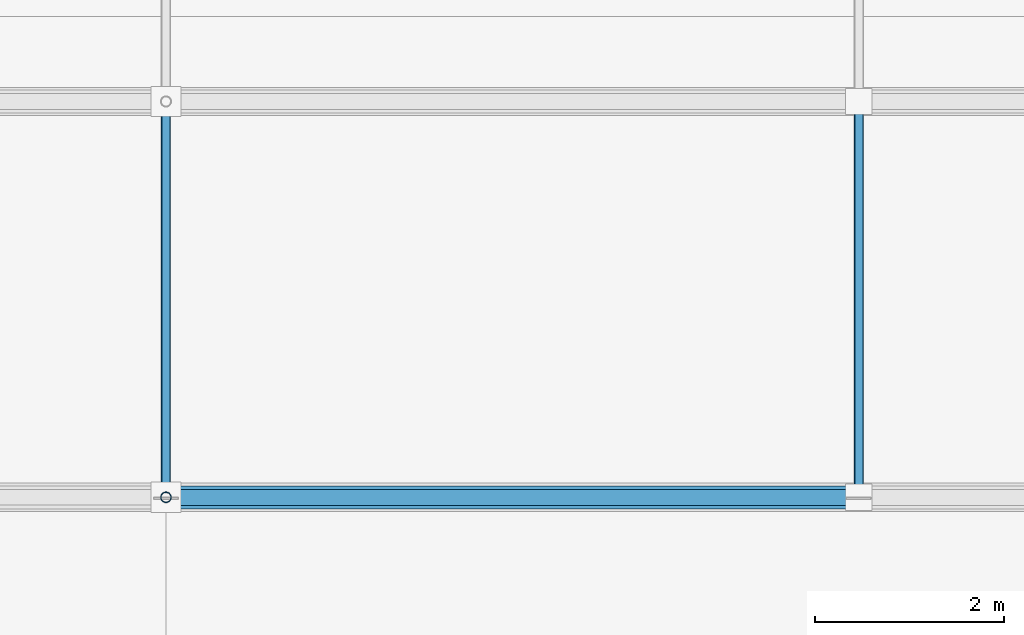
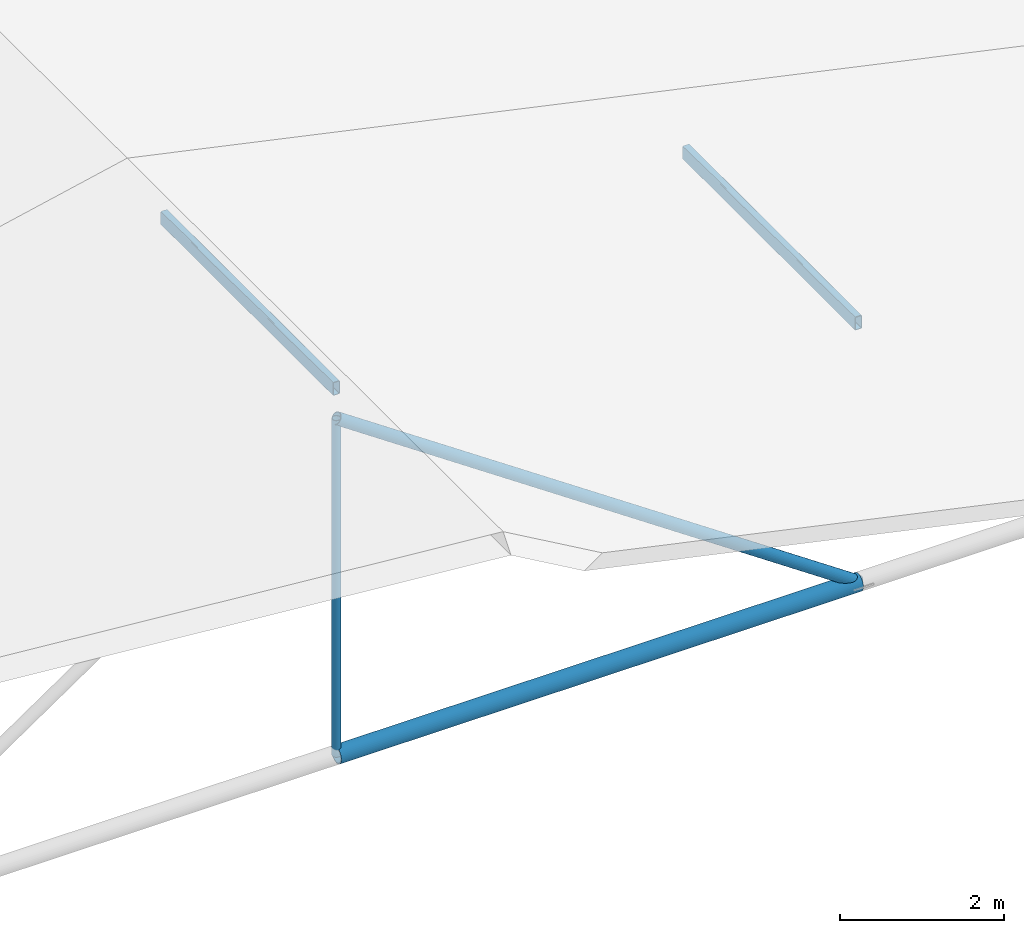
# One storey, part 11 of 60: 5 members.
"""IFC4 building model written with IfcOpenShell, lengths in metres."""

from ifc_helpers import new_model, si_unit, direction, frame, origin, origin_2d, place, context, subcontext, project, spatial, hollow_rectangle, hollow_circle, extrude, material, material_profile, profile_set, type_object, element, save


model = new_model("IFC4")

# Units and contexts
model_context = context("Model", 3, precision=1e-05, world=origin(), true_north=direction((0.0, 1.0)))
body_context = subcontext(model_context, "Body", "Model", "MODEL_VIEW")
ifc_project = project(units=[si_unit("LENGTHUNIT", "METRE"), si_unit("AREAUNIT", "SQUARE_METRE"), si_unit("VOLUMEUNIT", "CUBIC_METRE"), si_unit("PLANEANGLEUNIT", "RADIAN"), si_unit("MASSUNIT", "GRAM", prefix="KILO")], contexts=[model_context])

# Site, building, storey
site_placement = place(None, origin())
site = spatial("IfcSite", under=ifc_project, at=site_placement, CompositionType="ELEMENT")
building_placement = place(site_placement, origin())
building = spatial("IfcBuilding", under=site, at=building_placement, Name="Nakhvara Creek Congress Hotel", CompositionType="ELEMENT")
storey_placement = place(building_placement, frame((0.0, 0.0, 54.60009765625)))
storey = spatial("IfcBuildingStorey", under=building, at=storey_placement, Name="RL1", CompositionType="ELEMENT", Elevation=54.60009765625)

# Members
ifc_material = material(Name="Steel S355J2H", Category="steel")
ifc_material_profile_1 = material_profile(ifc_material, hollow_circle(Radius=0.084228515625, WallThickness=0.008056640625, at=origin_2d()), Name="CHS 168.3x8.0", Category="LoadBearing")
ifc_profile_set_1 = profile_set([ifc_material_profile_1], Name="Steel S355J2H")
member_type_1 = type_object("IfcMemberType", Name="MEM-BRC-CHS168", PredefinedType="BRACE", material=ifc_profile_set_1)
member_1_placement = place(storey_placement, frame((33.75, 91.199951171875, -41.89013671875), z_axis=(-0.826301661582, 0.0, 0.563227808321), x_axis=(0.0, -1.0, 0.0)))
element("IfcMember", 1, at=member_1_placement, inside=storey, type_object=member_type_1, Name="Ballroom Roof Truss Web Brace 01.4", PredefinedType="BRACE", context=body_context, shape_type="SweptSolid", body=[
    extrude(hollow_circle(Radius=0.084228515625, WallThickness=0.008056640625, at=origin_2d()), origin(), (0.0, 0.0, 1.0), 8.895263671875),
])
ifc_material_profile_2 = material_profile(ifc_material, hollow_circle(Radius=0.122314453125, WallThickness=0.012451171875, at=origin_2d()), Name="CHS 244.5x12.5", Category="LoadBearing")
ifc_profile_set_2 = profile_set([ifc_material_profile_2], Name="Steel S355J2H")
member_type_2 = type_object("IfcMemberType", Name="MEM-CHD-CHS244", PredefinedType="CHORD", material=ifc_profile_set_2)
member_2_placement = place(storey_placement, frame((26.39990234375, 91.199951171875, -41.89013671875), z_axis=(1.0, 0.0, 0.0), x_axis=(0.0, 1.0, 0.0)))
element("IfcMember", 2, at=member_2_placement, inside=storey, type_object=member_type_2, Name="Ballroom Roof Truss Bottom Chord 01.4", PredefinedType="CHORD", context=body_context, shape_type="SweptSolid", body=[
    extrude(hollow_circle(Radius=0.122314453125, WallThickness=0.012451171875, at=origin_2d()), origin(), (0.0, 0.0, 1.0), 7.35009765625),
])
ifc_material_profile_3 = material_profile(ifc_material, hollow_rectangle(XDim=0.10009765625, YDim=0.199951171875, WallThickness=0.008056640625, InnerFilletRadius=0.008056640625, OuterFilletRadius=0.01611328125, at=origin_2d()), Name="RHS 200x100x8.0", Category="LoadBearing")
ifc_profile_set_3 = profile_set([ifc_material_profile_3], Name="Steel S355J2H")
member_type_3 = type_object("IfcMemberType", Name="MEM-PUR-RHS200", PredefinedType="PURLIN", material=ifc_profile_set_3)
for number, where, z_axis, x_axis, name in (
    (3, (26.39990234375, 91.199951171875, -36.433837890625), (0.0, 1.0, 0.0), (-1.0, 0.0, 0.0), "Ballroom Roof Purlin 4.1"),
    (4, (33.75, 91.199951171875, -38.033935546875), (0.0, 1.0, 0.0), (-1.0, 0.0, 0.0), "Ballroom Roof Purlin 5.1"),
):
    element("IfcMember", number, at=place(storey_placement, frame(where, z_axis=z_axis, x_axis=x_axis)), inside=storey, type_object=member_type_3, Name=name, PredefinedType="PURLIN", context=body_context, shape_type="SweptSolid", body=[
        extrude(hollow_rectangle(XDim=0.10009765625, YDim=0.199951171875, WallThickness=0.008056640625, InnerFilletRadius=0.008056640625, OuterFilletRadius=0.01611328125, at=origin_2d()), origin(), (0.0, 0.0, 1.0), 4.199951171875),
    ])
ifc_material_profile_4 = material_profile(ifc_material, hollow_circle(Radius=0.05712890625, WallThickness=0.00634765625, at=origin_2d()), Name="CHS 114.3x6.3", Category="LoadBearing")
ifc_profile_set_4 = profile_set([ifc_material_profile_4], Name="Steel S355J2H")
member_type_4 = type_object("IfcMemberType", Name="MEM-STR-CHS114", PredefinedType="STRUT", material=ifc_profile_set_4)
member_3_placement = place(storey_placement, frame((26.39990234375, 91.199951171875, -41.89013671875), z_axis=(0.0, 0.0, 1.0), x_axis=(1.0, 0.0, 0.0)))
element("IfcMember", 5, at=member_3_placement, inside=storey, type_object=member_type_4, Name="Ballroom Roof Truss King-Post 01", PredefinedType="STRUT", context=body_context, shape_type="SweptSolid", body=[
    extrude(hollow_circle(Radius=0.05712890625, WallThickness=0.00634765625, at=origin_2d()), origin(), (0.0, 0.0, 1.0), 5.010009765625),
])

save(model, "model.ifc")
